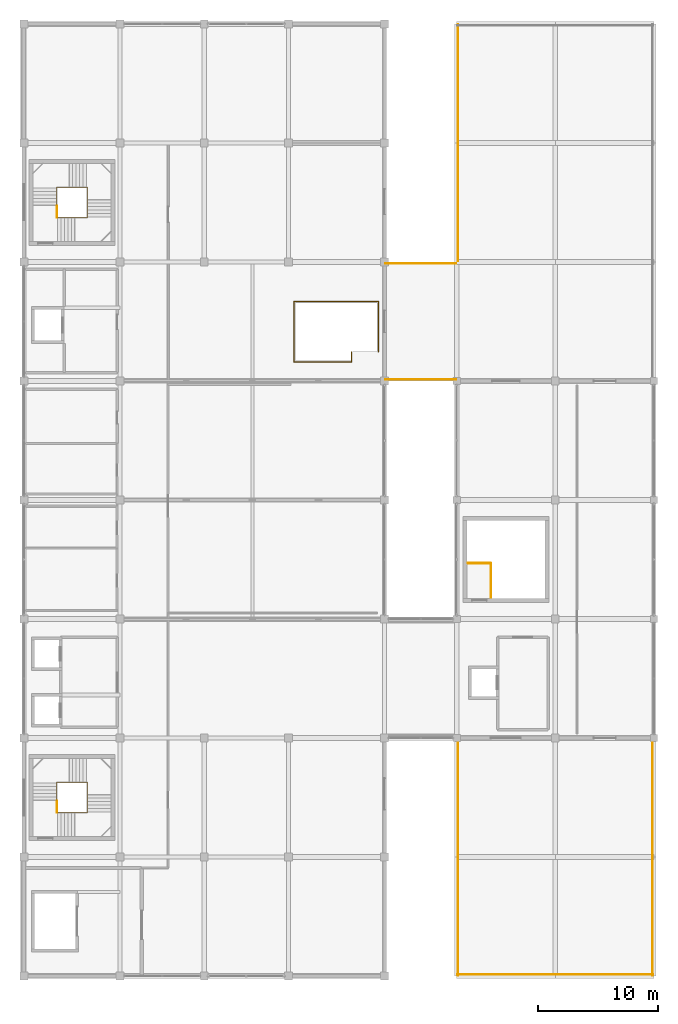
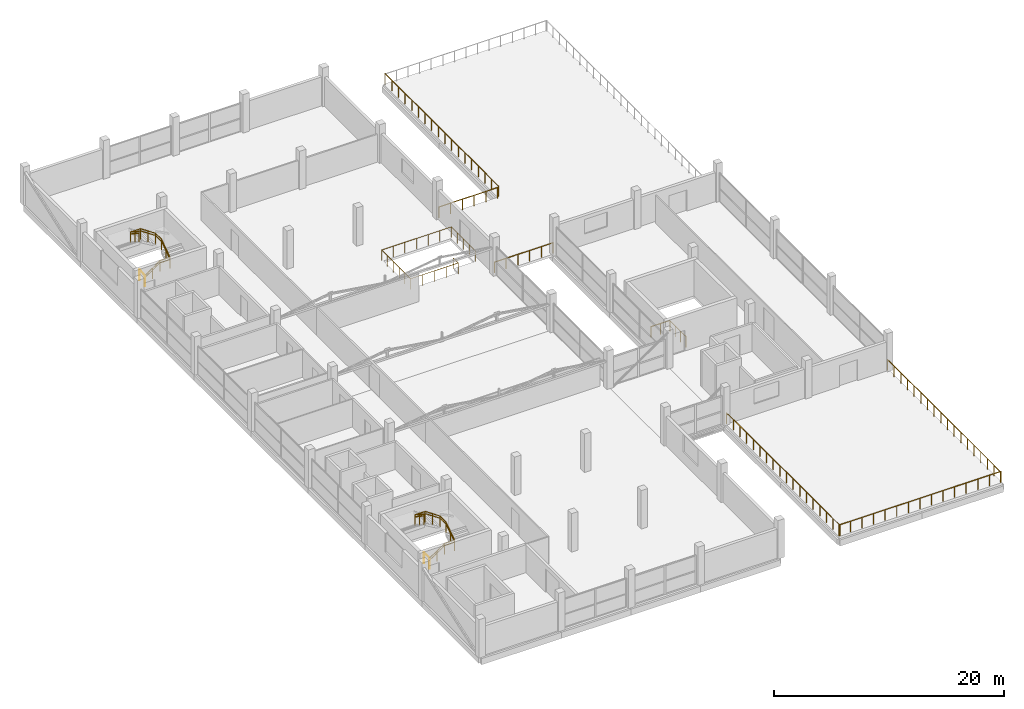
# One storey, part 52 of 53: 14 railings.
"""IFC4 building model written with IfcOpenShell, lengths in metres."""

import ifcopenshell
import ifcopenshell.guid

model = None  # the IFC model being written
_history = None  # IfcOwnerHistory: only IFC2X3 demands one
_inside = {}  # id of a spatial element -> (the spatial element, [elements in it])
_under = {}  # id of a project, library or spatial element -> (it, [spatial elements below it])
_declared = {}  # id of a project -> (the project, [libraries it declares])
_typed = {}  # id of a type object -> (the type object, [elements of that type])
_made_of = {}  # id of a material, layer set ... -> (it, [elements and type objects made of it])


def new_model(schema):
    """Start an empty IFC model of exactly this schema.

    Asked for "IFC4X3", IfcOpenShell would pick the latest addendum, in which some entities
    have other attributes; the version numbers below select the first issue.
    IFC2X3 requires an IfcOwnerHistory on every rooted entity: one is made here for all.
    """
    global model, _history
    if schema == "IFC4X3":
        model = ifcopenshell.file(schema_version=(4, 3, 0, 0))
    else:
        model = ifcopenshell.file(schema=schema)
    _inside.clear()
    _under.clear()
    _declared.clear()
    _typed.clear()
    _made_of.clear()
    _history = None
    if model.schema == "IFC2X3":
        org = make("IfcOrganization", Name="unknown")
        user = make(
            "IfcPersonAndOrganization",
            ThePerson=make("IfcPerson", FamilyName="unknown"),
            TheOrganization=org,
        )
        app = make(
            "IfcApplication",
            ApplicationDeveloper=org,
            Version="unknown",
            ApplicationFullName="unknown",
            ApplicationIdentifier="unknown",
        )
        _history = make(
            "IfcOwnerHistory",
            OwningUser=user,
            OwningApplication=app,
            ChangeAction="ADDED",
            CreationDate=0,
        )
    return model


def make(cls, **values):
    """One entity of the class cls with the attributes given. An attribute that is None is left unset."""
    return model.create_entity(
        cls, **{name: value for name, value in values.items() if value is not None}
    )


def rooted(cls, **values):
    """An entity with a GlobalId (a new one), such as an element, a storey or a relation."""
    return make(cls, GlobalId=ifcopenshell.guid.new(), OwnerHistory=_history, **values)


def si_unit(unit_type, name, prefix=None):
    """IfcSIUnit, for example si_unit("LENGTHUNIT", "METRE", prefix="MILLI")."""
    return make("IfcSIUnit", UnitType=unit_type, Prefix=prefix, Name=name)


def assignment(units):
    """IfcUnitAssignment: the units of a project."""
    return None if units is None else make("IfcUnitAssignment", Units=units)


def point(xyz):
    """IfcCartesianPoint."""
    return None if xyz is None else make("IfcCartesianPoint", Coordinates=xyz)


def direction(xyz):
    """IfcDirection."""
    return None if xyz is None else make("IfcDirection", DirectionRatios=xyz)


def frame(location, z_axis=None, x_axis=None):
    """IfcAxis2Placement3D, a coordinate frame: its origin and axes. An axis left out is left unset."""
    return make(
        "IfcAxis2Placement3D",
        Location=point(location),
        Axis=direction(z_axis),
        RefDirection=direction(x_axis),
    )


def frame_2d(location, x_axis=None):
    """IfcAxis2Placement2D, a coordinate frame in the plane: its origin and x axis."""
    return make(
        "IfcAxis2Placement2D", Location=point(location), RefDirection=direction(x_axis)
    )


def origin():
    """The frame at (0, 0, 0) with its axes left unset."""
    return frame((0.0, 0.0, 0.0))


def origin_2d():
    """The frame at (0, 0) in the plane with its x axis left unset."""
    return frame_2d((0.0, 0.0))


def place(relative_to, where):
    """IfcLocalPlacement: puts the frame where relative to a parent placement (None: the world)."""
    return make(
        "IfcLocalPlacement", PlacementRelTo=relative_to, RelativePlacement=where
    )


def context(
    kind, dimensions, precision=None, world=None, true_north=None, identifier=None
):
    """IfcGeometricRepresentationContext, for example the 3D "Model" context."""
    return make(
        "IfcGeometricRepresentationContext",
        ContextIdentifier=identifier,
        ContextType=kind,
        CoordinateSpaceDimension=dimensions,
        Precision=precision,
        WorldCoordinateSystem=world,
        TrueNorth=true_north,
    )


def subcontext(parent, identifier, kind, view, scale=None):
    """IfcGeometricRepresentationSubContext, for example "Body" below "Model"."""
    return make(
        "IfcGeometricRepresentationSubContext",
        ContextIdentifier=identifier,
        ContextType=kind,
        ParentContext=parent,
        TargetScale=scale,
        TargetView=view,
    )


def project(units=None, contexts=None):
    """IfcProject with its units and contexts."""
    return rooted(
        "IfcProject",
        Name="project",
        RepresentationContexts=contexts,
        UnitsInContext=assignment(units),
    )


def spatial(cls, under=None, at=None, **own):
    """A site, building, storey or space (cls), placed at a placement, below another one or the project."""
    s = rooted(cls, ObjectPlacement=at, **own)
    if under is not None:
        _under.setdefault(under.id(), (under, []))[1].append(s)
    return s


def profile(cls, at=None, kind="AREA", **sizes):
    """A parametric profile (cls). Its sizes go by their IFC names, for example OverallWidth=200.0."""
    return make(cls, ProfileType=kind, Position=at, **sizes)


def circle(**sizes):
    """IfcCircleProfileDef."""
    return profile("IfcCircleProfileDef", **sizes)


def extrude(swept, where, along, depth):
    """IfcExtrudedAreaSolid: the profile swept, set in the frame where, extruded along a direction by depth."""
    return make(
        "IfcExtrudedAreaSolid",
        SweptArea=swept,
        Position=where,
        ExtrudedDirection=direction(along),
        Depth=depth,
    )


def shape(context_of_items, identifier, shape_type, items):
    """IfcShapeRepresentation: the items that make up one representation, for example the "Body"."""
    return make(
        "IfcShapeRepresentation",
        ContextOfItems=context_of_items,
        RepresentationIdentifier=identifier,
        RepresentationType=shape_type,
        Items=items,
    )


def material(Name=None, Category=None):
    """IfcMaterial."""
    return make("IfcMaterial", Name=Name, Category=Category)


def made_of(thing, what):
    """Note that an element or type object is made of a material, layer set ...; save() writes the relation."""
    if what is not None:
        _made_of.setdefault(what.id(), (what, []))[1].append(thing)
    return thing


def type_object(cls, material=None, **own):
    """A type object (cls), such as IfcWallType, which elements share."""
    return made_of(rooted(cls, **own), material)


def element(
    cls,
    number,
    at=None,
    inside=None,
    cuts=None,
    type_object=None,
    material=None,
    context=None,
    identifier="Body",
    shape_type=None,
    held_by="IfcProductDefinitionShape",
    body=None,
    shapes=None,
    **own,
):
    """One element of the class cls, such as IfcWall. Its Tag is "e" and its number.

    at: its placement. inside: the storey or other place that contains it. cuts: it is an
    opening in that element (IfcRelVoidsElement). A single representation is given by context,
    identifier, shape_type and body (its items); several are given by shapes. held_by: the class
    of the entity that holds the representations. save() writes the other relations.
    """
    e = rooted(cls, Tag="e%d" % number, ObjectPlacement=at, **own)
    if body is not None:
        shapes = [shape(context, identifier, shape_type, body)]
    if shapes is not None:
        e.Representation = make(held_by, Representations=shapes)
    if inside is not None:
        _inside.setdefault(inside.id(), (inside, []))[1].append(e)
    if cuts is not None:
        rooted(
            "IfcRelVoidsElement", RelatingBuildingElement=cuts, RelatedOpeningElement=e
        )
    if type_object is not None:
        _typed.setdefault(type_object.id(), (type_object, []))[1].append(e)
    return made_of(e, material)


def aggregate(whole, parts):
    """IfcRelAggregates: a whole, such as a stair, and the parts it consists of."""
    return rooted("IfcRelAggregates", RelatingObject=whole, RelatedObjects=parts)


def save(model, path):
    """Write the relations noted so far, then the file.

    IfcRelAggregates (storeys below a building ...), IfcRelContainedInSpatialStructure (elements
    in a storey), IfcRelDefinesByType, IfcRelAssociatesMaterial and IfcRelDeclares: one each for
    every whole, place, type object, material and project.
    """
    for whole, parts in _under.values():
        aggregate(whole, parts)
    for where, things in _inside.values():
        rooted(
            "IfcRelContainedInSpatialStructure",
            RelatedElements=things,
            RelatingStructure=where,
        )
    for kind, things in _typed.values():
        rooted("IfcRelDefinesByType", RelatedObjects=things, RelatingType=kind)
    for what, things in _made_of.values():
        rooted("IfcRelAssociatesMaterial", RelatedObjects=things, RelatingMaterial=what)
    for by, libraries in _declared.values():
        rooted("IfcRelDeclares", RelatingContext=by, RelatedDefinitions=libraries)
    model.write(path)


model = new_model("IFC4")

# Units and contexts
model_context = context("Model", 3, precision=1e-05, world=origin(), true_north=direction((0.0, 1.0)))
body_context = subcontext(model_context, "Body", "Model", "MODEL_VIEW")
ifc_project = project(units=[si_unit("LENGTHUNIT", "METRE"), si_unit("AREAUNIT", "SQUARE_METRE"), si_unit("VOLUMEUNIT", "CUBIC_METRE"), si_unit("PLANEANGLEUNIT", "RADIAN"), si_unit("MASSUNIT", "GRAM", prefix="KILO")], contexts=[model_context])

# Site, building, storey
site_placement = place(None, origin())
site = spatial("IfcSite", under=ifc_project, at=site_placement, CompositionType="ELEMENT")
building_placement = place(site_placement, origin())
building = spatial("IfcBuilding", under=site, at=building_placement, Name="Sillaruma Civic Art Gallery", CompositionType="ELEMENT")
storey_placement = place(building_placement, frame((0.0, 0.0, 70.3798828125)))
storey = spatial("IfcBuildingStorey", under=building, at=storey_placement, Name="L14", CompositionType="ELEMENT", Elevation=70.3798828125)

# Railings
ifc_material = material(Name="Stainless Steel AISI 316", Category="steel")
railing_type_1 = type_object("IfcRailingType", Name="RAL-BAL-1150", PredefinedType="BALUSTRADE", material=ifc_material)
railing_1_placement = place(storey_placement, frame((98.1201171875, 79.260009765625, 0.0)))
element("IfcRailing", 1, at=railing_1_placement, inside=storey, type_object=railing_type_1, Name="Sculpture Terrace Balustrade (SLB-L14-TER-EAST-3)", PredefinedType="BALUSTRADE", context=body_context, shape_type="SweptSolid", body=[
    extrude(circle(Radius=0.02392578125, at=origin_2d()), frame((0.0, 0.0, 1.1259765625), z_axis=(0.0, 1.0, 0.0), x_axis=(-1.0, 0.0, 0.0)), (0.0, 0.0, 1.0), 19.679931640625),
    extrude(circle(Radius=0.02099609375, at=origin_2d()), origin(), (0.0, 0.0, 1.0), 1.101806640625),
    extrude(circle(Radius=0.02099609375, at=origin_2d()), frame((0.0, 1.15771484375, 0.0)), (0.0, 0.0, 1.0), 1.101806640625),
    extrude(circle(Radius=0.02099609375, at=origin_2d()), frame((0.0, 2.315185546875, 0.0)), (0.0, 0.0, 1.0), 1.101806640625),
    extrude(circle(Radius=0.02099609375, at=origin_2d()), frame((0.0, 3.472900390625, 0.0)), (0.0, 0.0, 1.0), 1.101806640625),
    extrude(circle(Radius=0.02099609375, at=origin_2d()), frame((0.0, 4.630615234375, 0.0)), (0.0, 0.0, 1.0), 1.101806640625),
    extrude(circle(Radius=0.02099609375, at=origin_2d()), frame((0.0, 5.788330078125, 0.0)), (0.0, 0.0, 1.0), 1.101806640625),
    extrude(circle(Radius=0.02099609375, at=origin_2d()), frame((0.0, 6.94580078125, 0.0)), (0.0, 0.0, 1.0), 1.101806640625),
    extrude(circle(Radius=0.02099609375, at=origin_2d()), frame((0.0, 8.103515625, 0.0)), (0.0, 0.0, 1.0), 1.101806640625),
    extrude(circle(Radius=0.02099609375, at=origin_2d()), frame((0.0, 9.26123046875, 0.0)), (0.0, 0.0, 1.0), 1.101806640625),
    extrude(circle(Radius=0.02099609375, at=origin_2d()), frame((0.0, 10.418701171875, 0.0)), (0.0, 0.0, 1.0), 1.101806640625),
    extrude(circle(Radius=0.02099609375, at=origin_2d()), frame((0.0, 11.576416015625, 0.0)), (0.0, 0.0, 1.0), 1.101806640625),
    extrude(circle(Radius=0.02099609375, at=origin_2d()), frame((0.0, 12.734130859375, 0.0)), (0.0, 0.0, 1.0), 1.101806640625),
    extrude(circle(Radius=0.02099609375, at=origin_2d()), frame((0.0, 13.8916015625, 0.0)), (0.0, 0.0, 1.0), 1.101806640625),
    extrude(circle(Radius=0.02099609375, at=origin_2d()), frame((0.0, 15.04931640625, 0.0)), (0.0, 0.0, 1.0), 1.101806640625),
    extrude(circle(Radius=0.02099609375, at=origin_2d()), frame((0.0, 16.20703125, 0.0)), (0.0, 0.0, 1.0), 1.101806640625),
    extrude(circle(Radius=0.02099609375, at=origin_2d()), frame((0.0, 17.36474609375, 0.0)), (0.0, 0.0, 1.0), 1.101806640625),
    extrude(circle(Radius=0.02099609375, at=origin_2d()), frame((0.0, 18.522216796875, 0.0)), (0.0, 0.0, 1.0), 1.101806640625),
    extrude(circle(Radius=0.02099609375, at=origin_2d()), frame((0.0, 19.679931640625, 0.0)), (0.0, 0.0, 1.0), 1.101806640625),
])
for number, where, name in (
    (2, (92.06005859375, 79.080078125, 0.0), "Sculpture Terrace Balustrade (SLB-L14-TER-EAST-4)"),
    (3, (92.06005859375, 69.419921875, 0.0), "Sculpture Terrace Balustrade (SLB-L14-TER-EAST-5)"),
):
    element("IfcRailing", number, at=place(storey_placement, frame(where)), inside=storey, type_object=railing_type_1, Name=name, PredefinedType="BALUSTRADE", context=body_context, shape_type="SweptSolid", body=[
        extrude(circle(Radius=0.02392578125, at=origin_2d()), frame((0.0, 0.0, 1.1259765625), z_axis=(1.0, 0.0, 0.0), x_axis=(0.0, 1.0, 0.0)), (0.0, 0.0, 1.0), 5.8798828125),
        extrude(circle(Radius=0.02099609375, at=origin_2d()), origin(), (0.0, 0.0, 1.0), 1.101806640625),
        extrude(circle(Radius=0.02099609375, at=origin_2d()), frame((1.176025390625, 0.0, 0.0)), (0.0, 0.0, 1.0), 1.101806640625),
        extrude(circle(Radius=0.02099609375, at=origin_2d()), frame((2.35205078125, 0.0, 0.0)), (0.0, 0.0, 1.0), 1.101806640625),
        extrude(circle(Radius=0.02099609375, at=origin_2d()), frame((3.52783203125, 0.0, 0.0)), (0.0, 0.0, 1.0), 1.101806640625),
        extrude(circle(Radius=0.02099609375, at=origin_2d()), frame((4.703857421875, 0.0, 0.0)), (0.0, 0.0, 1.0), 1.101806640625),
        extrude(circle(Radius=0.02099609375, at=origin_2d()), frame((5.8798828125, 0.0, 0.0)), (0.0, 0.0, 1.0), 1.101806640625),
    ])
railing_2_placement = place(storey_placement, frame((98.06005859375, 19.919921875, 0.0)))
element("IfcRailing", 4, at=railing_2_placement, inside=storey, type_object=railing_type_1, Name="Sculpture Terrace Balustrade (SLB-L14-TER-ES-1)", PredefinedType="BALUSTRADE", context=body_context, shape_type="SweptSolid", body=[
    extrude(circle(Radius=0.02392578125, at=origin_2d()), frame((0.0, 0.0, 1.1259765625), z_axis=(1.0, 0.0, 0.0), x_axis=(0.0, 1.0, 0.0)), (0.0, 0.0, 1.0), 16.280029296875),
    extrude(circle(Radius=0.02099609375, at=origin_2d()), origin(), (0.0, 0.0, 1.0), 1.101806640625),
    extrude(circle(Radius=0.02099609375, at=origin_2d()), frame((1.162841796875, 0.0, 0.0)), (0.0, 0.0, 1.0), 1.101806640625),
    extrude(circle(Radius=0.02099609375, at=origin_2d()), frame((2.32568359375, 0.0, 0.0)), (0.0, 0.0, 1.0), 1.101806640625),
    extrude(circle(Radius=0.02099609375, at=origin_2d()), frame((3.488525390625, 0.0, 0.0)), (0.0, 0.0, 1.0), 1.101806640625),
    extrude(circle(Radius=0.02099609375, at=origin_2d()), frame((4.6513671875, 0.0, 0.0)), (0.0, 0.0, 1.0), 1.101806640625),
    extrude(circle(Radius=0.02099609375, at=origin_2d()), frame((5.814208984375, 0.0, 0.0)), (0.0, 0.0, 1.0), 1.101806640625),
    extrude(circle(Radius=0.02099609375, at=origin_2d()), frame((6.97705078125, 0.0, 0.0)), (0.0, 0.0, 1.0), 1.101806640625),
    extrude(circle(Radius=0.02099609375, at=origin_2d()), frame((8.14013671875, 0.0, 0.0)), (0.0, 0.0, 1.0), 1.101806640625),
    extrude(circle(Radius=0.02099609375, at=origin_2d()), frame((9.302978515625, 0.0, 0.0)), (0.0, 0.0, 1.0), 1.101806640625),
    extrude(circle(Radius=0.02099609375, at=origin_2d()), frame((10.4658203125, 0.0, 0.0)), (0.0, 0.0, 1.0), 1.101806640625),
    extrude(circle(Radius=0.02099609375, at=origin_2d()), frame((11.628662109375, 0.0, 0.0)), (0.0, 0.0, 1.0), 1.101806640625),
    extrude(circle(Radius=0.02099609375, at=origin_2d()), frame((12.79150390625, 0.0, 0.0)), (0.0, 0.0, 1.0), 1.101806640625),
    extrude(circle(Radius=0.02099609375, at=origin_2d()), frame((13.954345703125, 0.0, 0.0)), (0.0, 0.0, 1.0), 1.101806640625),
    extrude(circle(Radius=0.02099609375, at=origin_2d()), frame((15.1171875, 0.0, 0.0)), (0.0, 0.0, 1.0), 1.101806640625),
    extrude(circle(Radius=0.02099609375, at=origin_2d()), frame((16.280029296875, 0.0, 0.0)), (0.0, 0.0, 1.0), 1.101806640625),
])
railing_3_placement = place(storey_placement, frame((114.280029296875, 19.860107421875, 0.0)))
element("IfcRailing", 5, at=railing_3_placement, inside=storey, type_object=railing_type_1, Name="Sculpture Terrace Balustrade (SLB-L14-TER-ES-2)", PredefinedType="BALUSTRADE", context=body_context, shape_type="SweptSolid", body=[
    extrude(circle(Radius=0.02392578125, at=origin_2d()), frame((0.0, 0.0, 1.1259765625), z_axis=(0.0, 1.0, 0.0), x_axis=(-1.0, 0.0, 0.0)), (0.0, 0.0, 1.0), 19.679931640625),
    extrude(circle(Radius=0.02099609375, at=origin_2d()), origin(), (0.0, 0.0, 1.0), 1.101806640625),
    extrude(circle(Radius=0.02099609375, at=origin_2d()), frame((0.0, 1.15771484375, 0.0)), (0.0, 0.0, 1.0), 1.101806640625),
    extrude(circle(Radius=0.02099609375, at=origin_2d()), frame((0.0, 2.315185546875, 0.0)), (0.0, 0.0, 1.0), 1.101806640625),
    extrude(circle(Radius=0.02099609375, at=origin_2d()), frame((0.0, 3.472900390625, 0.0)), (0.0, 0.0, 1.0), 1.101806640625),
    extrude(circle(Radius=0.02099609375, at=origin_2d()), frame((0.0, 4.630615234375, 0.0)), (0.0, 0.0, 1.0), 1.101806640625),
    extrude(circle(Radius=0.02099609375, at=origin_2d()), frame((0.0, 5.788330078125, 0.0)), (0.0, 0.0, 1.0), 1.101806640625),
    extrude(circle(Radius=0.02099609375, at=origin_2d()), frame((0.0, 6.94580078125, 0.0)), (0.0, 0.0, 1.0), 1.101806640625),
    extrude(circle(Radius=0.02099609375, at=origin_2d()), frame((0.0, 8.103515625, 0.0)), (0.0, 0.0, 1.0), 1.101806640625),
    extrude(circle(Radius=0.02099609375, at=origin_2d()), frame((0.0, 9.26123046875, 0.0)), (0.0, 0.0, 1.0), 1.101806640625),
    extrude(circle(Radius=0.02099609375, at=origin_2d()), frame((0.0, 10.418701171875, 0.0)), (0.0, 0.0, 1.0), 1.101806640625),
    extrude(circle(Radius=0.02099609375, at=origin_2d()), frame((0.0, 11.576416015625, 0.0)), (0.0, 0.0, 1.0), 1.101806640625),
    extrude(circle(Radius=0.02099609375, at=origin_2d()), frame((0.0, 12.734130859375, 0.0)), (0.0, 0.0, 1.0), 1.101806640625),
    extrude(circle(Radius=0.02099609375, at=origin_2d()), frame((0.0, 13.8916015625, 0.0)), (0.0, 0.0, 1.0), 1.101806640625),
    extrude(circle(Radius=0.02099609375, at=origin_2d()), frame((0.0, 15.04931640625, 0.0)), (0.0, 0.0, 1.0), 1.101806640625),
    extrude(circle(Radius=0.02099609375, at=origin_2d()), frame((0.0, 16.20703125, 0.0)), (0.0, 0.0, 1.0), 1.101806640625),
    extrude(circle(Radius=0.02099609375, at=origin_2d()), frame((0.0, 17.36474609375, 0.0)), (0.0, 0.0, 1.0), 1.101806640625),
    extrude(circle(Radius=0.02099609375, at=origin_2d()), frame((0.0, 18.522216796875, 0.0)), (0.0, 0.0, 1.0), 1.101806640625),
    extrude(circle(Radius=0.02099609375, at=origin_2d()), frame((0.0, 19.679931640625, 0.0)), (0.0, 0.0, 1.0), 1.101806640625),
])
railing_4_placement = place(storey_placement, frame((98.1201171875, 19.860107421875, 0.0)))
element("IfcRailing", 6, at=railing_4_placement, inside=storey, type_object=railing_type_1, Name="Sculpture Terrace Balustrade (SLB-L14-TER-ES-3)", PredefinedType="BALUSTRADE", context=body_context, shape_type="SweptSolid", body=[
    extrude(circle(Radius=0.02392578125, at=origin_2d()), frame((0.0, 0.0, 1.1259765625), z_axis=(0.0, 1.0, 0.0), x_axis=(-1.0, 0.0, 0.0)), (0.0, 0.0, 1.0), 19.679931640625),
    extrude(circle(Radius=0.02099609375, at=origin_2d()), origin(), (0.0, 0.0, 1.0), 1.101806640625),
    extrude(circle(Radius=0.02099609375, at=origin_2d()), frame((0.0, 1.15771484375, 0.0)), (0.0, 0.0, 1.0), 1.101806640625),
    extrude(circle(Radius=0.02099609375, at=origin_2d()), frame((0.0, 2.315185546875, 0.0)), (0.0, 0.0, 1.0), 1.101806640625),
    extrude(circle(Radius=0.02099609375, at=origin_2d()), frame((0.0, 3.472900390625, 0.0)), (0.0, 0.0, 1.0), 1.101806640625),
    extrude(circle(Radius=0.02099609375, at=origin_2d()), frame((0.0, 4.630615234375, 0.0)), (0.0, 0.0, 1.0), 1.101806640625),
    extrude(circle(Radius=0.02099609375, at=origin_2d()), frame((0.0, 5.788330078125, 0.0)), (0.0, 0.0, 1.0), 1.101806640625),
    extrude(circle(Radius=0.02099609375, at=origin_2d()), frame((0.0, 6.94580078125, 0.0)), (0.0, 0.0, 1.0), 1.101806640625),
    extrude(circle(Radius=0.02099609375, at=origin_2d()), frame((0.0, 8.103515625, 0.0)), (0.0, 0.0, 1.0), 1.101806640625),
    extrude(circle(Radius=0.02099609375, at=origin_2d()), frame((0.0, 9.26123046875, 0.0)), (0.0, 0.0, 1.0), 1.101806640625),
    extrude(circle(Radius=0.02099609375, at=origin_2d()), frame((0.0, 10.418701171875, 0.0)), (0.0, 0.0, 1.0), 1.101806640625),
    extrude(circle(Radius=0.02099609375, at=origin_2d()), frame((0.0, 11.576416015625, 0.0)), (0.0, 0.0, 1.0), 1.101806640625),
    extrude(circle(Radius=0.02099609375, at=origin_2d()), frame((0.0, 12.734130859375, 0.0)), (0.0, 0.0, 1.0), 1.101806640625),
    extrude(circle(Radius=0.02099609375, at=origin_2d()), frame((0.0, 13.8916015625, 0.0)), (0.0, 0.0, 1.0), 1.101806640625),
    extrude(circle(Radius=0.02099609375, at=origin_2d()), frame((0.0, 15.04931640625, 0.0)), (0.0, 0.0, 1.0), 1.101806640625),
    extrude(circle(Radius=0.02099609375, at=origin_2d()), frame((0.0, 16.20703125, 0.0)), (0.0, 0.0, 1.0), 1.101806640625),
    extrude(circle(Radius=0.02099609375, at=origin_2d()), frame((0.0, 17.36474609375, 0.0)), (0.0, 0.0, 1.0), 1.101806640625),
    extrude(circle(Radius=0.02099609375, at=origin_2d()), frame((0.0, 18.522216796875, 0.0)), (0.0, 0.0, 1.0), 1.101806640625),
    extrude(circle(Radius=0.02099609375, at=origin_2d()), frame((0.0, 19.679931640625, 0.0)), (0.0, 0.0, 1.0), 1.101806640625),
])
railing_5_placement = place(storey_placement, frame((64.739990234375, 82.889892578125, 0.0)))
element("IfcRailing", 7, at=railing_5_placement, inside=storey, type_object=railing_type_1, Name="Stair Floor Edge Guard (ST-02:L14)", PredefinedType="BALUSTRADE", context=body_context, shape_type="SweptSolid", body=[
    extrude(circle(Radius=0.02392578125, at=origin_2d()), frame((0.0, 0.0, 1.1259765625), z_axis=(0.0, 1.0, 0.0), x_axis=(-1.0, 0.0, 0.0)), (0.0, 0.0, 1.0), 0.97021484375),
    extrude(circle(Radius=0.02099609375, at=origin_2d()), origin(), (0.0, 0.0, 1.0), 1.101806640625),
    extrude(circle(Radius=0.02099609375, at=origin_2d()), frame((0.0, 0.97021484375, 0.0)), (0.0, 0.0, 1.0), 1.101806640625),
])
railing_6_placement = place(storey_placement, frame((64.739990234375, 82.889892578125, 0.0)))
element("IfcRailing", 8, at=railing_6_placement, inside=storey, type_object=railing_type_1, Name="Stair Well Balustrade (ST-02-L14)", PredefinedType="BALUSTRADE", context=body_context, shape_type="SweptSolid", body=[
    extrude(circle(Radius=0.02392578125, at=origin_2d()), frame((0.0, 0.0, 1.1259765625), z_axis=(0.828654473869, 0.0, 0.559760451387), x_axis=(0.0, 1.0, 0.0)), (0.0, 0.0, 1.0), 1.822265625),
    extrude(circle(Radius=0.02392578125, at=origin_2d()), frame((1.510009765625, 0.0, 2.14599609375), z_axis=(1.0, 0.0, 0.0), x_axis=(0.0, 1.0, 0.0)), (0.0, 0.0, 1.0), 1.010009765625),
    extrude(circle(Radius=0.02392578125, at=origin_2d()), frame((2.52001953125, 0.0, 2.14599609375), z_axis=(0.0, 0.828654473869, 0.559760451387), x_axis=(-1.0, 0.0, 0.0)), (0.0, 0.0, 1.0), 1.822265625),
    extrude(circle(Radius=0.02392578125, at=origin_2d()), frame((2.52001953125, 1.510009765625, 3.166015625), z_axis=(0.0, 1.0, 0.0), x_axis=(-1.0, 0.0, 0.0)), (0.0, 0.0, 1.0), 1.010009765625),
    extrude(circle(Radius=0.02392578125, at=origin_2d()), frame((2.52001953125, 2.52001953125, 3.166015625), z_axis=(-0.828654473869, 0.0, 0.559760451387), x_axis=(0.0, -1.0, 0.0)), (0.0, 0.0, 1.0), 1.822265625),
    extrude(circle(Radius=0.02392578125, at=origin_2d()), frame((1.010009765625, 2.52001953125, 4.18603515625), z_axis=(-1.0, 0.0, 0.0), x_axis=(0.0, -1.0, 0.0)), (0.0, 0.0, 1.0), 1.010009765625),
    extrude(circle(Radius=0.02392578125, at=origin_2d()), frame((0.0, 2.52001953125, 4.18603515625), z_axis=(0.0, -0.828654473869, 0.559760451387), x_axis=(1.0, 0.0, 0.0)), (0.0, 0.0, 1.0), 1.822265625),
    extrude(circle(Radius=0.02099609375, at=origin_2d()), origin(), (0.0, 0.0, 1.0), 1.101806640625),
    extrude(circle(Radius=0.02099609375, at=origin_2d()), frame((0.7548828125, 0.0, 0.510009765625)), (0.0, 0.0, 1.0), 1.101806640625),
    extrude(circle(Radius=0.02099609375, at=origin_2d()), frame((1.510009765625, 0.0, 1.02001953125)), (0.0, 0.0, 1.0), 1.101806640625),
    extrude(circle(Radius=0.02099609375, at=origin_2d()), frame((2.52001953125, 0.0, 1.02001953125)), (0.0, 0.0, 1.0), 1.101806640625),
    extrude(circle(Radius=0.02099609375, at=origin_2d()), frame((2.52001953125, 0.7548828125, 1.530029296875)), (0.0, 0.0, 1.0), 1.101806640625),
    extrude(circle(Radius=0.02099609375, at=origin_2d()), frame((2.52001953125, 1.510009765625, 2.0400390625)), (0.0, 0.0, 1.0), 1.101806640625),
    extrude(circle(Radius=0.02099609375, at=origin_2d()), frame((2.52001953125, 2.52001953125, 2.0400390625)), (0.0, 0.0, 1.0), 1.101806640625),
    extrude(circle(Radius=0.02099609375, at=origin_2d()), frame((1.76513671875, 2.52001953125, 2.550048828125)), (0.0, 0.0, 1.0), 1.101806640625),
    extrude(circle(Radius=0.02099609375, at=origin_2d()), frame((1.010009765625, 2.52001953125, 3.06005859375)), (0.0, 0.0, 1.0), 1.101806640625),
    extrude(circle(Radius=0.02099609375, at=origin_2d()), frame((0.0, 2.52001953125, 3.06005859375)), (0.0, 0.0, 1.0), 1.101806640625),
    extrude(circle(Radius=0.02099609375, at=origin_2d()), frame((0.0, 1.76513671875, 3.570068359375)), (0.0, 0.0, 1.0), 1.101806640625),
    extrude(circle(Radius=0.02099609375, at=origin_2d()), frame((0.0, 1.010009765625, 4.080078125)), (0.0, 0.0, 1.0), 1.101806640625),
])
railing_7_placement = place(storey_placement, frame((64.739990234375, 33.389892578125, 0.0)))
element("IfcRailing", 9, at=railing_7_placement, inside=storey, type_object=railing_type_1, Name="Stair Floor Edge Guard (ST-03:L14)", PredefinedType="BALUSTRADE", context=body_context, shape_type="SweptSolid", body=[
    extrude(circle(Radius=0.02392578125, at=origin_2d()), frame((0.0, 0.0, 1.1259765625), z_axis=(0.0, 1.0, 0.0), x_axis=(-1.0, 0.0, 0.0)), (0.0, 0.0, 1.0), 0.97021484375),
    extrude(circle(Radius=0.02099609375, at=origin_2d()), origin(), (0.0, 0.0, 1.0), 1.101806640625),
    extrude(circle(Radius=0.02099609375, at=origin_2d()), frame((0.0, 0.97021484375, 0.0)), (0.0, 0.0, 1.0), 1.101806640625),
])
railing_8_placement = place(storey_placement, frame((64.739990234375, 33.389892578125, 0.0)))
element("IfcRailing", 10, at=railing_8_placement, inside=storey, type_object=railing_type_1, Name="Stair Well Balustrade (ST-03-L14)", PredefinedType="BALUSTRADE", context=body_context, shape_type="SweptSolid", body=[
    extrude(circle(Radius=0.02392578125, at=origin_2d()), frame((0.0, 0.0, 1.1259765625), z_axis=(0.828654473869, 0.0, 0.559760451387), x_axis=(0.0, 1.0, 0.0)), (0.0, 0.0, 1.0), 1.822265625),
    extrude(circle(Radius=0.02392578125, at=origin_2d()), frame((1.510009765625, 0.0, 2.14599609375), z_axis=(1.0, 0.0, 0.0), x_axis=(0.0, 1.0, 0.0)), (0.0, 0.0, 1.0), 1.010009765625),
    extrude(circle(Radius=0.02392578125, at=origin_2d()), frame((2.52001953125, 0.0, 2.14599609375), z_axis=(0.0, 0.828654473869, 0.559760451387), x_axis=(-1.0, 0.0, 0.0)), (0.0, 0.0, 1.0), 1.822265625),
    extrude(circle(Radius=0.02392578125, at=origin_2d()), frame((2.52001953125, 1.510009765625, 3.166015625), z_axis=(0.0, 1.0, 0.0), x_axis=(-1.0, 0.0, 0.0)), (0.0, 0.0, 1.0), 1.010009765625),
    extrude(circle(Radius=0.02392578125, at=origin_2d()), frame((2.52001953125, 2.52001953125, 3.166015625), z_axis=(-0.828654473869, 0.0, 0.559760451387), x_axis=(0.0, -1.0, 0.0)), (0.0, 0.0, 1.0), 1.822265625),
    extrude(circle(Radius=0.02392578125, at=origin_2d()), frame((1.010009765625, 2.52001953125, 4.18603515625), z_axis=(-1.0, 0.0, 0.0), x_axis=(0.0, -1.0, 0.0)), (0.0, 0.0, 1.0), 1.010009765625),
    extrude(circle(Radius=0.02392578125, at=origin_2d()), frame((0.0, 2.52001953125, 4.18603515625), z_axis=(0.0, -0.828654473869, 0.559760451387), x_axis=(1.0, 0.0, 0.0)), (0.0, 0.0, 1.0), 1.822265625),
    extrude(circle(Radius=0.02099609375, at=origin_2d()), origin(), (0.0, 0.0, 1.0), 1.101806640625),
    extrude(circle(Radius=0.02099609375, at=origin_2d()), frame((0.7548828125, 0.0, 0.510009765625)), (0.0, 0.0, 1.0), 1.101806640625),
    extrude(circle(Radius=0.02099609375, at=origin_2d()), frame((1.510009765625, 0.0, 1.02001953125)), (0.0, 0.0, 1.0), 1.101806640625),
    extrude(circle(Radius=0.02099609375, at=origin_2d()), frame((2.52001953125, 0.0, 1.02001953125)), (0.0, 0.0, 1.0), 1.101806640625),
    extrude(circle(Radius=0.02099609375, at=origin_2d()), frame((2.52001953125, 0.7548828125, 1.530029296875)), (0.0, 0.0, 1.0), 1.101806640625),
    extrude(circle(Radius=0.02099609375, at=origin_2d()), frame((2.52001953125, 1.510009765625, 2.0400390625)), (0.0, 0.0, 1.0), 1.101806640625),
    extrude(circle(Radius=0.02099609375, at=origin_2d()), frame((2.52001953125, 2.52001953125, 2.0400390625)), (0.0, 0.0, 1.0), 1.101806640625),
    extrude(circle(Radius=0.02099609375, at=origin_2d()), frame((1.76513671875, 2.52001953125, 2.550048828125)), (0.0, 0.0, 1.0), 1.101806640625),
    extrude(circle(Radius=0.02099609375, at=origin_2d()), frame((1.010009765625, 2.52001953125, 3.06005859375)), (0.0, 0.0, 1.0), 1.101806640625),
    extrude(circle(Radius=0.02099609375, at=origin_2d()), frame((0.0, 2.52001953125, 3.06005859375)), (0.0, 0.0, 1.0), 1.101806640625),
    extrude(circle(Radius=0.02099609375, at=origin_2d()), frame((0.0, 1.76513671875, 3.570068359375)), (0.0, 0.0, 1.0), 1.101806640625),
    extrude(circle(Radius=0.02099609375, at=origin_2d()), frame((0.0, 1.010009765625, 4.080078125)), (0.0, 0.0, 1.0), 1.101806640625),
])
railing_9_placement = place(storey_placement, frame((100.840087890625, 51.2900390625, 0.0)))
element("IfcRailing", 11, at=railing_9_placement, inside=storey, type_object=railing_type_1, Name="Stair Floor Edge Guard (ST-04:L14)", PredefinedType="BALUSTRADE", context=body_context, shape_type="SweptSolid", body=[
    extrude(circle(Radius=0.02392578125, at=origin_2d()), frame((0.0, 0.0, 1.1259765625), z_axis=(0.0, 1.0, 0.0), x_axis=(-1.0, 0.0, 0.0)), (0.0, 0.0, 1.0), 2.849853515625),
    extrude(circle(Radius=0.02392578125, at=origin_2d()), frame((0.0, 2.849853515625, 1.1259765625), z_axis=(-1.0, 0.0, 0.0), x_axis=(0.0, -1.0, 0.0)), (0.0, 0.0, 1.0), 1.900146484375),
    extrude(circle(Radius=0.02099609375, at=origin_2d()), origin(), (0.0, 0.0, 1.0), 1.101806640625),
    extrude(circle(Radius=0.02099609375, at=origin_2d()), frame((0.0, 0.949951171875, 0.0)), (0.0, 0.0, 1.0), 1.101806640625),
    extrude(circle(Radius=0.02099609375, at=origin_2d()), frame((0.0, 1.89990234375, 0.0)), (0.0, 0.0, 1.0), 1.101806640625),
    extrude(circle(Radius=0.02099609375, at=origin_2d()), frame((0.0, 2.849853515625, 0.0)), (0.0, 0.0, 1.0), 1.101806640625),
    extrude(circle(Radius=0.02099609375, at=origin_2d()), frame((-0.9501953125, 2.849853515625, 0.0)), (0.0, 0.0, 1.0), 1.101806640625),
    extrude(circle(Radius=0.02099609375, at=origin_2d()), frame((-1.900146484375, 2.849853515625, 0.0)), (0.0, 0.0, 1.0), 1.101806640625),
])
railing_10_placement = place(storey_placement, frame((89.260009765625, 71.72998046875, 0.0)))
element("IfcRailing", 12, at=railing_10_placement, inside=storey, type_object=railing_type_1, Name="Feature Stair Arrival Well Balustrade (ST-G08)", PredefinedType="BALUSTRADE", context=body_context, shape_type="SweptSolid", body=[
    extrude(circle(Radius=0.02392578125, at=origin_2d()), frame((0.0, 0.0, 1.1259765625), z_axis=(0.0, -1.0, 0.0), x_axis=(1.0, 0.0, 0.0)), (0.0, 0.0, 1.0), 0.85009765625),
    extrude(circle(Radius=0.02392578125, at=origin_2d()), frame((0.0, -0.85009765625, 1.1259765625), z_axis=(-1.0, 0.0, 0.0), x_axis=(0.0, -1.0, 0.0)), (0.0, 0.0, 1.0), 4.780029296875),
    extrude(circle(Radius=0.02392578125, at=origin_2d()), frame((-4.780029296875, -0.85009765625, 1.1259765625), z_axis=(0.0, 1.0, 0.0), x_axis=(-1.0, 0.0, 0.0)), (0.0, 0.0, 1.0), 5.0400390625),
    extrude(circle(Radius=0.02392578125, at=origin_2d()), frame((-4.780029296875, 4.18994140625, 1.1259765625), z_axis=(1.0, 0.0, 0.0), x_axis=(0.0, 1.0, 0.0)), (0.0, 0.0, 1.0), 7.0),
    extrude(circle(Radius=0.02392578125, at=origin_2d()), frame((2.219970703125, 4.18994140625, 1.1259765625), z_axis=(0.0, -1.0, 0.0), x_axis=(1.0, 0.0, 0.0)), (0.0, 0.0, 1.0), 4.18994140625),
    extrude(circle(Radius=0.02099609375, at=origin_2d()), origin(), (0.0, 0.0, 1.0), 1.101806640625),
    extrude(circle(Radius=0.02099609375, at=origin_2d()), frame((0.0, -0.85009765625, 0.0)), (0.0, 0.0, 1.0), 1.101806640625),
    extrude(circle(Radius=0.02099609375, at=origin_2d()), frame((-1.195068359375, -0.85009765625, 0.0)), (0.0, 0.0, 1.0), 1.101806640625),
    extrude(circle(Radius=0.02099609375, at=origin_2d()), frame((-2.39013671875, -0.85009765625, 0.0)), (0.0, 0.0, 1.0), 1.101806640625),
    extrude(circle(Radius=0.02099609375, at=origin_2d()), frame((-3.5849609375, -0.85009765625, 0.0)), (0.0, 0.0, 1.0), 1.101806640625),
    extrude(circle(Radius=0.02099609375, at=origin_2d()), frame((-4.780029296875, -0.85009765625, 0.0)), (0.0, 0.0, 1.0), 1.101806640625),
    extrude(circle(Radius=0.02099609375, at=origin_2d()), frame((-4.780029296875, 0.157958984375, 0.0)), (0.0, 0.0, 1.0), 1.101806640625),
    extrude(circle(Radius=0.02099609375, at=origin_2d()), frame((-4.780029296875, 1.166015625, 0.0)), (0.0, 0.0, 1.0), 1.101806640625),
    extrude(circle(Radius=0.02099609375, at=origin_2d()), frame((-4.780029296875, 2.173828125, 0.0)), (0.0, 0.0, 1.0), 1.101806640625),
    extrude(circle(Radius=0.02099609375, at=origin_2d()), frame((-4.780029296875, 3.181884765625, 0.0)), (0.0, 0.0, 1.0), 1.101806640625),
    extrude(circle(Radius=0.02099609375, at=origin_2d()), frame((-4.780029296875, 4.18994140625, 0.0)), (0.0, 0.0, 1.0), 1.101806640625),
    extrude(circle(Radius=0.02099609375, at=origin_2d()), frame((-3.61328125, 4.18994140625, 0.0)), (0.0, 0.0, 1.0), 1.101806640625),
    extrude(circle(Radius=0.02099609375, at=origin_2d()), frame((-2.44677734375, 4.18994140625, 0.0)), (0.0, 0.0, 1.0), 1.101806640625),
    extrude(circle(Radius=0.02099609375, at=origin_2d()), frame((-1.280029296875, 4.18994140625, 0.0)), (0.0, 0.0, 1.0), 1.101806640625),
    extrude(circle(Radius=0.02099609375, at=origin_2d()), frame((-0.11328125, 4.18994140625, 0.0)), (0.0, 0.0, 1.0), 1.101806640625),
    extrude(circle(Radius=0.02099609375, at=origin_2d()), frame((1.05322265625, 4.18994140625, 0.0)), (0.0, 0.0, 1.0), 1.101806640625),
    extrude(circle(Radius=0.02099609375, at=origin_2d()), frame((2.219970703125, 4.18994140625, 0.0)), (0.0, 0.0, 1.0), 1.101806640625),
    extrude(circle(Radius=0.02099609375, at=origin_2d()), frame((2.219970703125, 3.142578125, 0.0)), (0.0, 0.0, 1.0), 1.101806640625),
    extrude(circle(Radius=0.02099609375, at=origin_2d()), frame((2.219970703125, 2.094970703125, 0.0)), (0.0, 0.0, 1.0), 1.101806640625),
    extrude(circle(Radius=0.02099609375, at=origin_2d()), frame((2.219970703125, 1.04736328125, 0.0)), (0.0, 0.0, 1.0), 1.101806640625),
    extrude(circle(Radius=0.02099609375, at=origin_2d()), frame((2.219970703125, 0.0, 0.0)), (0.0, 0.0, 1.0), 1.101806640625),
])
railing_type_2 = type_object("IfcRailingType", Name="RAL-HND-920", PredefinedType="HANDRAIL", material=ifc_material)
railing_11_placement = place(storey_placement, frame((64.739990234375, 82.889892578125, 0.0)))
element("IfcRailing", 13, at=railing_11_placement, inside=storey, type_object=railing_type_2, Name="Stair Continuous Handrail (ST-02-L14)", PredefinedType="HANDRAIL", context=body_context, shape_type="SweptSolid", body=[
    extrude(circle(Radius=0.02392578125, at=origin_2d()), frame((0.0, 0.0, 0.89599609375), z_axis=(0.828654473869, 0.0, 0.559760451387), x_axis=(0.0, 1.0, 0.0)), (0.0, 0.0, 1.0), 1.822265625),
    extrude(circle(Radius=0.02392578125, at=origin_2d()), frame((1.510009765625, 0.0, 1.916015625), z_axis=(1.0, 0.0, 0.0), x_axis=(0.0, 1.0, 0.0)), (0.0, 0.0, 1.0), 1.010009765625),
    extrude(circle(Radius=0.02392578125, at=origin_2d()), frame((2.52001953125, 0.0, 1.916015625), z_axis=(0.0, 0.828654473869, 0.559760451387), x_axis=(-1.0, 0.0, 0.0)), (0.0, 0.0, 1.0), 1.822265625),
    extrude(circle(Radius=0.02392578125, at=origin_2d()), frame((2.52001953125, 1.510009765625, 2.93603515625), z_axis=(0.0, 1.0, 0.0), x_axis=(-1.0, 0.0, 0.0)), (0.0, 0.0, 1.0), 1.010009765625),
    extrude(circle(Radius=0.02392578125, at=origin_2d()), frame((2.52001953125, 2.52001953125, 2.93603515625), z_axis=(-0.828654473869, 0.0, 0.559760451387), x_axis=(0.0, -1.0, 0.0)), (0.0, 0.0, 1.0), 1.822265625),
    extrude(circle(Radius=0.02392578125, at=origin_2d()), frame((1.010009765625, 2.52001953125, 3.9560546875), z_axis=(-1.0, 0.0, 0.0), x_axis=(0.0, -1.0, 0.0)), (0.0, 0.0, 1.0), 1.010009765625),
    extrude(circle(Radius=0.02392578125, at=origin_2d()), frame((0.0, 2.52001953125, 3.9560546875), z_axis=(0.0, -0.828654473869, 0.559760451387), x_axis=(1.0, 0.0, 0.0)), (0.0, 0.0, 1.0), 1.822265625),
    extrude(circle(Radius=0.02099609375, at=origin_2d()), origin(), (0.0, 0.0, 1.0), 0.871826171875),
    extrude(circle(Radius=0.02099609375, at=origin_2d()), frame((0.7548828125, 0.0, 0.510009765625)), (0.0, 0.0, 1.0), 0.871826171875),
    extrude(circle(Radius=0.02099609375, at=origin_2d()), frame((1.510009765625, 0.0, 1.02001953125)), (0.0, 0.0, 1.0), 0.871826171875),
    extrude(circle(Radius=0.02099609375, at=origin_2d()), frame((2.52001953125, 0.0, 1.02001953125)), (0.0, 0.0, 1.0), 0.871826171875),
    extrude(circle(Radius=0.02099609375, at=origin_2d()), frame((2.52001953125, 0.7548828125, 1.530029296875)), (0.0, 0.0, 1.0), 0.871826171875),
    extrude(circle(Radius=0.02099609375, at=origin_2d()), frame((2.52001953125, 1.510009765625, 2.0400390625)), (0.0, 0.0, 1.0), 0.871826171875),
    extrude(circle(Radius=0.02099609375, at=origin_2d()), frame((2.52001953125, 2.52001953125, 2.0400390625)), (0.0, 0.0, 1.0), 0.871826171875),
    extrude(circle(Radius=0.02099609375, at=origin_2d()), frame((1.76513671875, 2.52001953125, 2.550048828125)), (0.0, 0.0, 1.0), 0.871826171875),
    extrude(circle(Radius=0.02099609375, at=origin_2d()), frame((1.010009765625, 2.52001953125, 3.06005859375)), (0.0, 0.0, 1.0), 0.871826171875),
    extrude(circle(Radius=0.02099609375, at=origin_2d()), frame((0.0, 2.52001953125, 3.06005859375)), (0.0, 0.0, 1.0), 0.871826171875),
    extrude(circle(Radius=0.02099609375, at=origin_2d()), frame((0.0, 1.76513671875, 3.570068359375)), (0.0, 0.0, 1.0), 0.871826171875),
    extrude(circle(Radius=0.02099609375, at=origin_2d()), frame((0.0, 1.010009765625, 4.080078125)), (0.0, 0.0, 1.0), 0.871826171875),
])
railing_12_placement = place(storey_placement, frame((64.739990234375, 33.389892578125, 0.0)))
element("IfcRailing", 14, at=railing_12_placement, inside=storey, type_object=railing_type_2, Name="Stair Continuous Handrail (ST-03-L14)", PredefinedType="HANDRAIL", context=body_context, shape_type="SweptSolid", body=[
    extrude(circle(Radius=0.02392578125, at=origin_2d()), frame((0.0, 0.0, 0.89599609375), z_axis=(0.828654473869, 0.0, 0.559760451387), x_axis=(0.0, 1.0, 0.0)), (0.0, 0.0, 1.0), 1.822265625),
    extrude(circle(Radius=0.02392578125, at=origin_2d()), frame((1.510009765625, 0.0, 1.916015625), z_axis=(1.0, 0.0, 0.0), x_axis=(0.0, 1.0, 0.0)), (0.0, 0.0, 1.0), 1.010009765625),
    extrude(circle(Radius=0.02392578125, at=origin_2d()), frame((2.52001953125, 0.0, 1.916015625), z_axis=(0.0, 0.828654473869, 0.559760451387), x_axis=(-1.0, 0.0, 0.0)), (0.0, 0.0, 1.0), 1.822265625),
    extrude(circle(Radius=0.02392578125, at=origin_2d()), frame((2.52001953125, 1.510009765625, 2.93603515625), z_axis=(0.0, 1.0, 0.0), x_axis=(-1.0, 0.0, 0.0)), (0.0, 0.0, 1.0), 1.010009765625),
    extrude(circle(Radius=0.02392578125, at=origin_2d()), frame((2.52001953125, 2.52001953125, 2.93603515625), z_axis=(-0.828654473869, 0.0, 0.559760451387), x_axis=(0.0, -1.0, 0.0)), (0.0, 0.0, 1.0), 1.822265625),
    extrude(circle(Radius=0.02392578125, at=origin_2d()), frame((1.010009765625, 2.52001953125, 3.9560546875), z_axis=(-1.0, 0.0, 0.0), x_axis=(0.0, -1.0, 0.0)), (0.0, 0.0, 1.0), 1.010009765625),
    extrude(circle(Radius=0.02392578125, at=origin_2d()), frame((0.0, 2.52001953125, 3.9560546875), z_axis=(0.0, -0.828654473869, 0.559760451387), x_axis=(1.0, 0.0, 0.0)), (0.0, 0.0, 1.0), 1.822265625),
    extrude(circle(Radius=0.02099609375, at=origin_2d()), origin(), (0.0, 0.0, 1.0), 0.871826171875),
    extrude(circle(Radius=0.02099609375, at=origin_2d()), frame((0.7548828125, 0.0, 0.510009765625)), (0.0, 0.0, 1.0), 0.871826171875),
    extrude(circle(Radius=0.02099609375, at=origin_2d()), frame((1.510009765625, 0.0, 1.02001953125)), (0.0, 0.0, 1.0), 0.871826171875),
    extrude(circle(Radius=0.02099609375, at=origin_2d()), frame((2.52001953125, 0.0, 1.02001953125)), (0.0, 0.0, 1.0), 0.871826171875),
    extrude(circle(Radius=0.02099609375, at=origin_2d()), frame((2.52001953125, 0.7548828125, 1.530029296875)), (0.0, 0.0, 1.0), 0.871826171875),
    extrude(circle(Radius=0.02099609375, at=origin_2d()), frame((2.52001953125, 1.510009765625, 2.0400390625)), (0.0, 0.0, 1.0), 0.871826171875),
    extrude(circle(Radius=0.02099609375, at=origin_2d()), frame((2.52001953125, 2.52001953125, 2.0400390625)), (0.0, 0.0, 1.0), 0.871826171875),
    extrude(circle(Radius=0.02099609375, at=origin_2d()), frame((1.76513671875, 2.52001953125, 2.550048828125)), (0.0, 0.0, 1.0), 0.871826171875),
    extrude(circle(Radius=0.02099609375, at=origin_2d()), frame((1.010009765625, 2.52001953125, 3.06005859375)), (0.0, 0.0, 1.0), 0.871826171875),
    extrude(circle(Radius=0.02099609375, at=origin_2d()), frame((0.0, 2.52001953125, 3.06005859375)), (0.0, 0.0, 1.0), 0.871826171875),
    extrude(circle(Radius=0.02099609375, at=origin_2d()), frame((0.0, 1.76513671875, 3.570068359375)), (0.0, 0.0, 1.0), 0.871826171875),
    extrude(circle(Radius=0.02099609375, at=origin_2d()), frame((0.0, 1.010009765625, 4.080078125)), (0.0, 0.0, 1.0), 0.871826171875),
])

save(model, "model.ifc")
